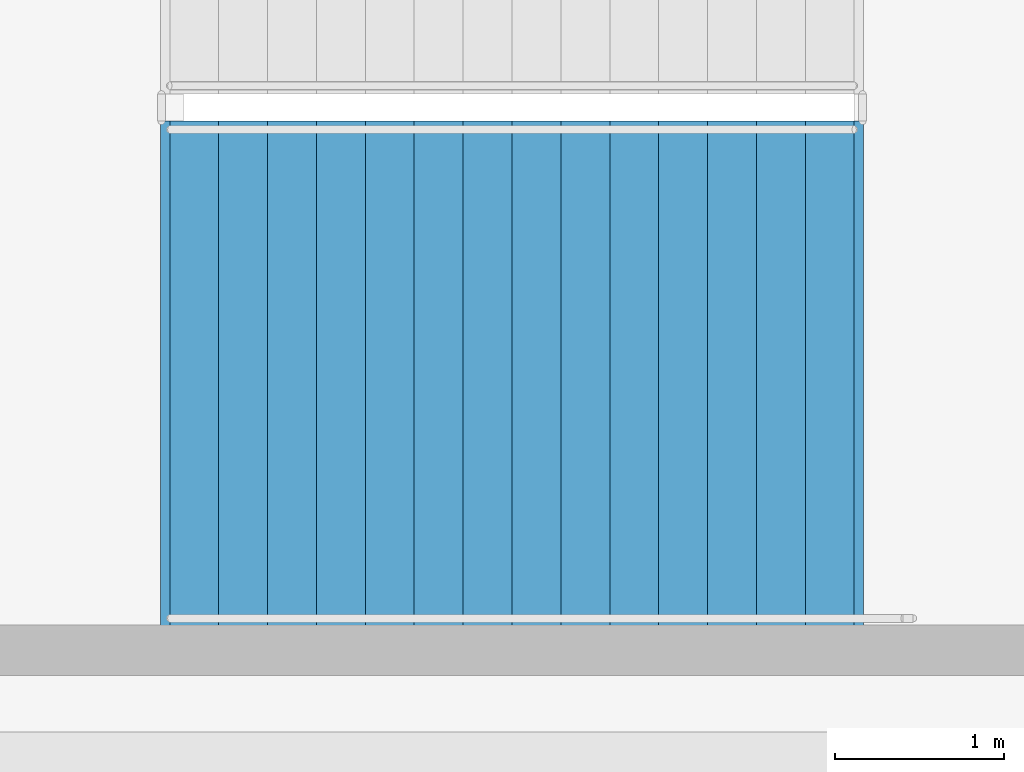
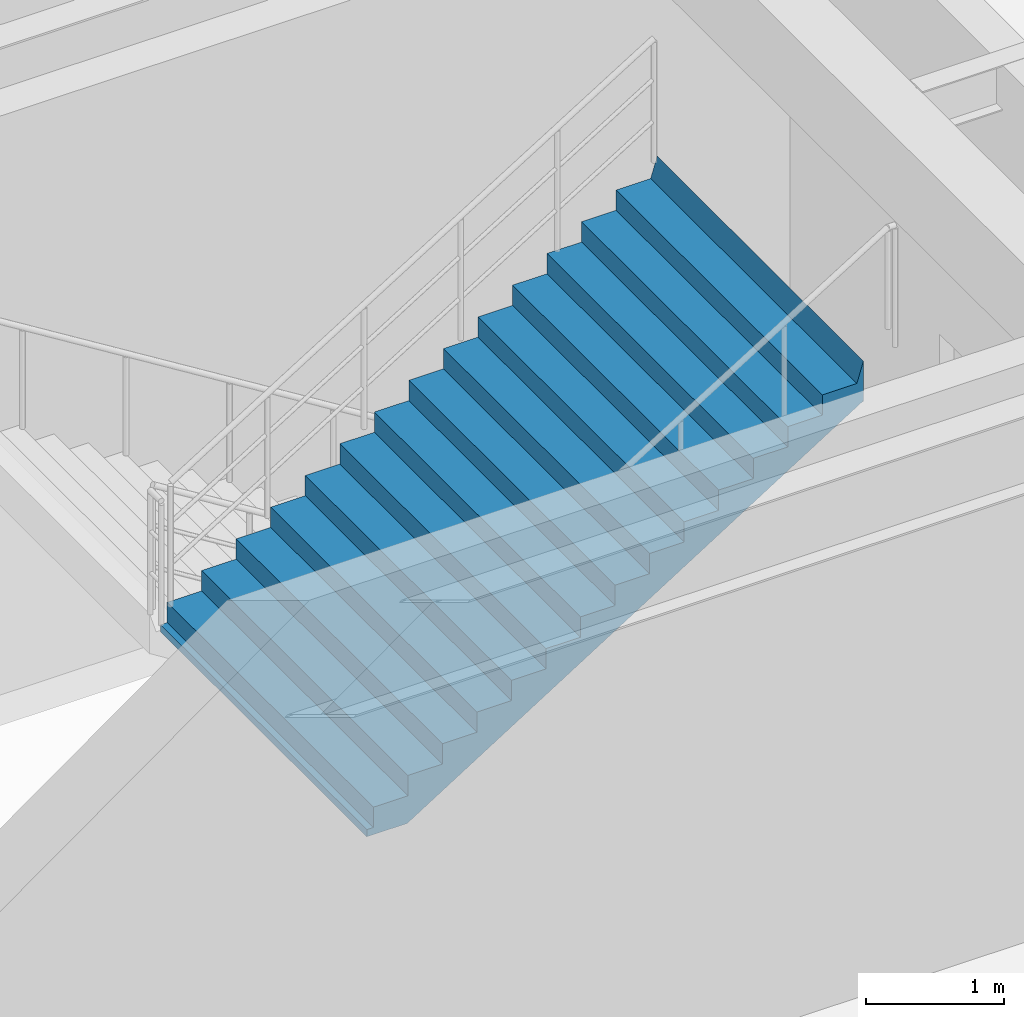
# One storey, part 78 of 93: 1 stair flight, 1 element without a shape of its own.
"""IFC4 building model written with IfcOpenShell, lengths in metres."""

from ifc_helpers import new_model, si_unit, direction, frame, origin, place, context, subcontext, project, spatial, polyline, outline, extrude, material, type_object, element, aggregate, save


model = new_model("IFC4")

# Units and contexts
model_context = context("Model", 3, precision=1e-05, world=origin(), true_north=direction((0.0, 1.0)))
body_context = subcontext(model_context, "Body", "Model", "MODEL_VIEW")
ifc_project = project(units=[si_unit("LENGTHUNIT", "METRE"), si_unit("AREAUNIT", "SQUARE_METRE"), si_unit("VOLUMEUNIT", "CUBIC_METRE"), si_unit("PLANEANGLEUNIT", "RADIAN"), si_unit("MASSUNIT", "GRAM", prefix="KILO")], contexts=[model_context])

# Site, building, storey
site_placement = place(None, origin())
site = spatial("IfcSite", under=ifc_project, at=site_placement, CompositionType="ELEMENT")
building_placement = place(site_placement, origin())
building = spatial("IfcBuilding", under=site, at=building_placement, Name="Cinderbank Siding Concert Hall", CompositionType="ELEMENT")
storey_placement = place(building_placement, origin())
storey = spatial("IfcBuildingStorey", under=building, at=storey_placement, Name="L01", CompositionType="ELEMENT", Elevation=0.0)

# Stair, stair flight
ifc_material = material(Name="Reinforced concrete AS 3600 N50 (50 MPa)", Category="concrete")
stair_type = type_object("IfcStairType", Name="STR-I Dogleg Exit Stair 3000mm", PredefinedType="HALF_TURN_STAIR", material=ifc_material)
stair_placement = place(storey_placement, origin())
stair = element("IfcStair", 1, at=stair_placement, inside=storey, type_object=stair_type, Name="L01 East Link Exit Stair ST-11", PredefinedType="HALF_TURN_STAIR")
stair_flight_type = type_object("IfcStairFlightType", Name="SFL-I Concrete Stair Flight 3000mm", PredefinedType="STRAIGHT", material=ifc_material)
stair_flight_placement = place(storey_placement, frame((155.639892578125, 83.050048828125, 2.699951171875), z_axis=(0.0, 0.0, 1.0), x_axis=(1.0, 0.0, 0.0)))
stair_flight = element("IfcStairFlight", 2, at=stair_flight_placement, type_object=stair_flight_type, Name="ST-11 flight 2", NumberOfRisers=15, NumberOfTreads=14, PredefinedType="STRAIGHT", RiserHeight=0.18, TreadLength=0.29, context=body_context, shape_type="SweptSolid", body=[
    extrude(outline(polyline([(0.0, 0.0), (0.0, 0.179931640625), (0.2900390625, 0.179931640625), (0.2900390625, 0.360107421875), (0.580078125, 0.360107421875), (0.580078125, 0.5400390625), (0.8701171875, 0.5400390625), (0.8701171875, 0.719970703125), (1.159912109375, 0.719970703125), (1.159912109375, 0.89990234375), (1.449951171875, 0.89990234375), (1.449951171875, 1.080078125), (1.739990234375, 1.080078125), (1.739990234375, 1.260009765625), (2.030029296875, 1.260009765625), (2.030029296875, 1.43994140625), (2.320068359375, 1.43994140625), (2.320068359375, 1.6201171875), (2.610107421875, 1.6201171875), (2.610107421875, 1.800048828125), (2.89990234375, 1.800048828125), (2.89990234375, 1.97998046875), (3.18994140625, 1.97998046875), (3.18994140625, 2.159912109375), (3.47998046875, 2.159912109375), (3.47998046875, 2.340087890625), (3.77001953125, 2.340087890625), (3.77001953125, 2.52001953125), (4.06005859375, 2.52001953125), (4.114990234375, 2.699951171875), (4.114990234375, 2.343505859375), (4.11474609375, 2.34375), (4.11474609375, 2.343994140625), (4.11474609375, 2.34423828125), (4.11474609375, 2.344482421875), (4.11474609375, 2.3447265625), (4.11474609375, 2.344970703125), (4.11474609375, 2.34521484375), (4.11474609375, 2.345458984375), (4.11474609375, 2.345703125), (4.11474609375, 2.345947265625), (4.11474609375, 2.34619140625), (4.11474609375, 2.346435546875), (4.114501953125, 2.346435546875), (4.114501953125, 2.34619140625), (4.114501953125, 2.345947265625), (4.114501953125, 2.345703125), (4.114501953125, 2.345458984375), (4.114501953125, 2.34521484375), (4.114501953125, 2.344970703125), (4.114501953125, 2.3447265625), (4.114501953125, 2.344482421875), (4.114501953125, 2.34423828125), (4.114501953125, 2.343994140625), (4.114501953125, 2.34375), (4.114501953125, 2.343505859375), (4.1142578125, 2.34375), (4.1142578125, 2.343994140625), (4.1142578125, 2.34423828125), (4.1142578125, 2.344482421875), (4.1142578125, 2.3447265625), (4.1142578125, 2.344970703125), (4.1142578125, 2.34521484375), (4.1142578125, 2.345458984375), (4.1142578125, 2.345703125), (4.1142578125, 2.345947265625), (4.1142578125, 2.34619140625), (4.1142578125, 2.346435546875), (4.114013671875, 2.346435546875), (4.114013671875, 2.34619140625), (4.114013671875, 2.345947265625), (4.114013671875, 2.345703125), (4.114013671875, 2.345458984375), (4.114013671875, 2.34521484375), (4.114013671875, 2.344970703125), (4.114013671875, 2.3447265625), (4.114013671875, 2.344482421875), (4.114013671875, 2.34423828125), (4.114013671875, 2.343994140625), (4.114013671875, 2.34375), (4.114013671875, 2.343505859375), (4.11376953125, 2.34375), (4.11376953125, 2.343994140625), (4.11376953125, 2.34423828125), (4.11376953125, 2.344482421875), (4.11376953125, 2.3447265625), (4.11376953125, 2.344970703125), (4.11376953125, 2.34521484375), (4.11376953125, 2.345458984375), (4.11376953125, 2.345703125), (4.11376953125, 2.345947265625), (4.11376953125, 2.34619140625), (4.11376953125, 2.346435546875), (4.113525390625, 2.346435546875), (4.113525390625, 2.34619140625), (4.113525390625, 2.345947265625), (4.113525390625, 2.345703125), (4.113525390625, 2.345458984375), (4.113525390625, 2.34521484375), (4.113525390625, 2.344970703125), (4.113525390625, 2.3447265625), (4.113525390625, 2.344482421875), (4.113525390625, 2.34423828125), (4.113525390625, 2.343994140625), (4.113525390625, 2.34375), (4.113525390625, 2.343505859375), (4.11328125, 2.34375), (4.11328125, 2.343994140625), (4.11328125, 2.34423828125), (4.11328125, 2.344482421875), (4.11328125, 2.3447265625), (4.11328125, 2.344970703125), (4.11328125, 2.34521484375), (4.11328125, 2.345458984375), (4.11328125, 2.345703125), (4.11328125, 2.345947265625), (4.11328125, 2.34619140625), (4.11328125, 2.346435546875), (4.113037109375, 2.346435546875), (4.113037109375, 2.34619140625), (4.113037109375, 2.345947265625), (4.113037109375, 2.345703125), (4.113037109375, 2.345458984375), (4.113037109375, 2.34521484375), (4.113037109375, 2.344970703125), (4.113037109375, 2.3447265625), (4.113037109375, 2.344482421875), (4.113037109375, 2.34423828125), (4.113037109375, 2.343994140625), (4.113037109375, 2.34375), (4.113037109375, 2.343505859375), (4.11279296875, 2.34375), (4.11279296875, 2.343994140625), (4.11279296875, 2.34423828125), (4.11279296875, 2.344482421875), (4.11279296875, 2.3447265625), (4.11279296875, 2.344970703125), (4.11279296875, 2.34521484375), (4.11279296875, 2.345458984375), (4.11279296875, 2.345703125), (4.11279296875, 2.345947265625), (4.11279296875, 2.34619140625), (4.11279296875, 2.346435546875), (4.112548828125, 2.346435546875), (4.112548828125, 2.34619140625), (4.112548828125, 2.345947265625), (4.112548828125, 2.345703125), (4.112548828125, 2.345458984375), (4.112548828125, 2.34521484375), (4.112548828125, 2.344970703125), (4.112548828125, 2.3447265625), (4.112548828125, 2.344482421875), (4.112548828125, 2.34423828125), (4.112548828125, 2.343994140625), (4.112548828125, 2.34375), (4.112548828125, 2.343505859375), (4.1123046875, 2.34375), (4.1123046875, 2.343994140625), (4.1123046875, 2.34423828125), (4.1123046875, 2.344482421875), (4.1123046875, 2.3447265625), (4.1123046875, 2.344970703125), (4.1123046875, 2.34521484375), (4.1123046875, 2.345458984375), (4.1123046875, 2.345703125), (4.1123046875, 2.345947265625), (4.1123046875, 2.34619140625), (4.1123046875, 2.346435546875), (4.112060546875, 2.346435546875), (4.112060546875, 2.34619140625), (4.112060546875, 2.345947265625), (4.112060546875, 2.345703125), (4.112060546875, 2.345458984375), (4.112060546875, 2.34521484375), (4.112060546875, 2.344970703125), (4.112060546875, 2.3447265625), (4.112060546875, 2.344482421875), (4.112060546875, 2.34423828125), (4.112060546875, 2.343994140625), (4.112060546875, 2.34375), (4.112060546875, 2.343505859375), (4.11181640625, 2.34375), (4.11181640625, 2.343994140625), (4.11181640625, 2.34423828125), (4.11181640625, 2.344482421875), (4.11181640625, 2.3447265625), (4.11181640625, 2.344970703125), (4.11181640625, 2.34521484375), (4.11181640625, 2.345458984375), (4.11181640625, 2.345703125), (4.11181640625, 2.345947265625), (4.11181640625, 2.34619140625), (4.11181640625, 2.346435546875), (4.111572265625, 2.346435546875), (4.111572265625, 2.34619140625), (4.111572265625, 2.345947265625), (4.111572265625, 2.345703125), (4.111572265625, 2.345458984375), (4.111572265625, 2.34521484375), (4.111572265625, 2.344970703125), (4.111572265625, 2.3447265625), (4.111572265625, 2.344482421875), (4.111572265625, 2.34423828125), (4.111572265625, 2.343994140625), (4.111572265625, 2.34375), (4.111572265625, 2.343505859375), (4.111328125, 2.34375), (4.111328125, 2.343994140625), (4.111328125, 2.34423828125), (4.111328125, 2.344482421875), (4.111328125, 2.3447265625), (4.111328125, 2.344970703125), (4.111328125, 2.34521484375), (4.111328125, 2.345458984375), (4.111328125, 2.345703125), (4.111328125, 2.345947265625), (4.111328125, 2.34619140625), (4.111328125, 2.346435546875), (4.111083984375, 2.346435546875), (4.111083984375, 2.34619140625), (4.111083984375, 2.345947265625), (4.111083984375, 2.345703125), (4.111083984375, 2.345458984375), (4.111083984375, 2.34521484375), (4.111083984375, 2.344970703125), (4.111083984375, 2.3447265625), (4.111083984375, 2.344482421875), (4.111083984375, 2.34423828125), (4.111083984375, 2.343994140625), (4.111083984375, 2.34375), (4.111083984375, 2.343505859375), (4.11083984375, 2.34375), (4.11083984375, 2.343994140625), (4.11083984375, 2.34423828125), (4.11083984375, 2.344482421875), (4.11083984375, 2.3447265625), (4.11083984375, 2.344970703125), (4.11083984375, 2.34521484375), (4.11083984375, 2.345458984375), (4.11083984375, 2.345703125), (4.11083984375, 2.345947265625), (4.11083984375, 2.34619140625), (4.11083984375, 2.346435546875), (4.110595703125, 2.346435546875), (4.110595703125, 2.34619140625), (4.110595703125, 2.345947265625), (4.110595703125, 2.345703125), (4.110595703125, 2.345458984375), (4.110595703125, 2.34521484375), (4.110595703125, 2.344970703125), (4.110595703125, 2.3447265625), (4.110595703125, 2.344482421875), (4.110595703125, 2.34423828125), (4.110595703125, 2.343994140625), (4.110595703125, 2.34375), (4.110595703125, 2.343505859375), (4.1103515625, 2.34375), (4.1103515625, 2.343994140625), (4.1103515625, 2.34423828125), (4.1103515625, 2.344482421875), (4.1103515625, 2.3447265625), (4.1103515625, 2.344970703125), (4.1103515625, 2.34521484375), (4.1103515625, 2.345458984375), (4.1103515625, 2.345703125), (4.1103515625, 2.345947265625), (4.1103515625, 2.34619140625), (4.1103515625, 2.346435546875), (4.110107421875, 2.346435546875), (4.110107421875, 2.34619140625), (4.110107421875, 2.345947265625), (4.110107421875, 2.345703125), (4.110107421875, 2.345458984375), (4.110107421875, 2.34521484375), (4.110107421875, 2.344970703125), (4.110107421875, 2.3447265625), (4.110107421875, 2.344482421875), (4.110107421875, 2.34423828125), (4.110107421875, 2.343994140625), (4.110107421875, 2.34375), (4.110107421875, 2.343505859375), (4.10986328125, 2.34375), (4.10986328125, 2.343994140625), (4.10986328125, 2.34423828125), (4.10986328125, 2.344482421875), (4.10986328125, 2.3447265625), (4.10986328125, 2.344970703125), (4.10986328125, 2.34521484375), (4.10986328125, 2.345458984375), (4.10986328125, 2.345703125), (4.10986328125, 2.345947265625), (4.10986328125, 2.34619140625), (4.10986328125, 2.346435546875), (4.109619140625, 2.346435546875), (4.109619140625, 2.34619140625), (4.109619140625, 2.345947265625), (4.109619140625, 2.345703125), (4.109619140625, 2.345458984375), (4.109619140625, 2.34521484375), (4.109619140625, 2.344970703125), (4.109619140625, 2.3447265625), (4.109619140625, 2.344482421875), (4.109619140625, 2.34423828125), (4.109619140625, 2.343994140625), (4.109619140625, 2.34375), (4.109619140625, 2.343505859375), (4.109375, 2.34375), (4.109375, 2.343994140625), (4.109375, 2.34423828125), (4.109375, 2.344482421875), (4.109375, 2.3447265625), (4.109375, 2.344970703125), (4.109375, 2.34521484375), (4.109375, 2.345458984375), (4.109375, 2.345703125), (4.109375, 2.345947265625), (4.109375, 2.34619140625), (4.109375, 2.346435546875), (4.109130859375, 2.346435546875), (4.109130859375, 2.34619140625), (4.109130859375, 2.345947265625), (4.109130859375, 2.345703125), (4.109130859375, 2.345458984375), (4.109130859375, 2.34521484375), (4.109130859375, 2.344970703125), (4.109130859375, 2.3447265625), (4.109130859375, 2.344482421875), (4.109130859375, 2.34423828125), (4.109130859375, 2.343994140625), (4.109130859375, 2.34375), (4.109130859375, 2.343505859375), (4.10888671875, 2.34375), (4.10888671875, 2.343994140625), (4.10888671875, 2.34423828125), (4.10888671875, 2.344482421875), (4.10888671875, 2.3447265625), (4.10888671875, 2.344970703125), (4.10888671875, 2.34521484375), (4.10888671875, 2.345458984375), (4.10888671875, 2.345703125), (4.10888671875, 2.345947265625), (4.10888671875, 2.34619140625), (4.10888671875, 2.346435546875), (4.108642578125, 2.346435546875), (4.108642578125, 2.34619140625), (4.108642578125, 2.345947265625), (4.108642578125, 2.345703125), (4.108642578125, 2.345458984375), (4.108642578125, 2.34521484375), (4.108642578125, 2.344970703125), (4.108642578125, 2.3447265625), (4.108642578125, 2.344482421875), (4.108642578125, 2.34423828125), (4.108642578125, 2.343994140625), (4.108642578125, 2.34375), (4.108642578125, 2.343505859375), (0.2841796875, -0.06396484375), (-0.048583984375, -0.063720703125), (-0.048583984375, -0.0634765625), (-0.048583984375, -0.063232421875), (-0.048583984375, -0.06298828125), (-0.048583984375, -0.062744140625), (-0.048583984375, -0.0625), (-0.048583984375, -0.062255859375), (-0.048583984375, -0.06201171875), (-0.048583984375, -0.061767578125), (-0.048583984375, -0.0615234375), (-0.048583984375, -0.061279296875), (-0.048583984375, -0.06103515625), (-0.048828125, -0.06103515625), (-0.048828125, -0.061279296875), (-0.048828125, -0.0615234375), (-0.048828125, -0.061767578125), (-0.048828125, -0.06201171875), (-0.048828125, -0.062255859375), (-0.048828125, -0.0625), (-0.048828125, -0.062744140625), (-0.048828125, -0.06298828125), (-0.048828125, -0.063232421875), (-0.048828125, -0.0634765625), (-0.048828125, -0.063720703125), (-0.048828125, -0.06396484375), (-0.049072265625, -0.063720703125), (-0.049072265625, -0.0634765625), (-0.049072265625, -0.063232421875), (-0.049072265625, -0.06298828125), (-0.049072265625, -0.062744140625), (-0.049072265625, -0.0625), (-0.049072265625, -0.062255859375), (-0.049072265625, -0.06201171875), (-0.049072265625, -0.061767578125), (-0.049072265625, -0.0615234375), (-0.049072265625, -0.061279296875), (-0.049072265625, -0.06103515625), (-0.04931640625, -0.06103515625), (-0.04931640625, -0.061279296875), (-0.04931640625, -0.0615234375), (-0.04931640625, -0.061767578125), (-0.04931640625, -0.06201171875), (-0.04931640625, -0.062255859375), (-0.04931640625, -0.0625), (-0.04931640625, -0.062744140625), (-0.04931640625, -0.06298828125), (-0.04931640625, -0.063232421875), (-0.04931640625, -0.0634765625), (-0.04931640625, -0.063720703125), (-0.04931640625, -0.06396484375), (-0.049560546875, -0.063720703125), (-0.049560546875, -0.0634765625), (-0.049560546875, -0.063232421875), (-0.049560546875, -0.06298828125), (-0.049560546875, -0.062744140625), (-0.049560546875, -0.0625), (-0.049560546875, -0.062255859375), (-0.049560546875, -0.06201171875), (-0.049560546875, -0.061767578125), (-0.049560546875, -0.0615234375), (-0.049560546875, -0.061279296875), (-0.049560546875, -0.06103515625), (-0.0498046875, -0.06103515625), (-0.0498046875, -0.061279296875), (-0.0498046875, -0.0615234375), (-0.0498046875, -0.061767578125), (-0.0498046875, -0.06201171875), (-0.0498046875, -0.062255859375), (-0.0498046875, -0.0625), (-0.0498046875, -0.062744140625), (-0.0498046875, -0.06298828125), (-0.0498046875, -0.063232421875), (-0.0498046875, -0.0634765625), (-0.0498046875, -0.063720703125), (-0.0498046875, -0.06396484375), (-0.050048828125, -0.063720703125), (-0.050048828125, -0.0634765625), (-0.050048828125, -0.063232421875), (-0.050048828125, -0.06298828125), (-0.050048828125, -0.062744140625), (-0.050048828125, -0.0625), (-0.050048828125, -0.062255859375), (-0.050048828125, -0.06201171875), (-0.050048828125, -0.061767578125), (-0.050048828125, -0.0615234375), (-0.050048828125, -0.061279296875), (-0.050048828125, -0.06103515625), (-0.05029296875, -0.06103515625), (-0.05029296875, -0.061279296875), (-0.05029296875, -0.0615234375), (-0.05029296875, -0.061767578125), (-0.05029296875, -0.06201171875), (-0.05029296875, -0.062255859375), (-0.05029296875, -0.0625), (-0.05029296875, -0.062744140625), (-0.05029296875, -0.06298828125), (-0.05029296875, -0.063232421875), (-0.05029296875, -0.0634765625), (-0.05029296875, -0.063720703125), (-0.05029296875, -0.06396484375), (-0.050537109375, -0.063720703125), (-0.050537109375, -0.0634765625), (-0.050537109375, -0.063232421875), (-0.050537109375, -0.06298828125), (-0.050537109375, -0.062744140625), (-0.050537109375, -0.0625), (-0.050537109375, -0.062255859375), (-0.050537109375, -0.06201171875), (-0.050537109375, -0.061767578125), (-0.050537109375, -0.0615234375), (-0.050537109375, -0.061279296875), (-0.050537109375, -0.06103515625), (-0.05078125, -0.06103515625), (-0.05078125, -0.061279296875), (-0.05078125, -0.0615234375), (-0.05078125, -0.061767578125), (-0.05078125, -0.06201171875), (-0.05078125, -0.062255859375), (-0.05078125, -0.0625), (-0.05078125, -0.062744140625), (-0.05078125, -0.06298828125), (-0.05078125, -0.063232421875), (-0.05078125, -0.0634765625), (-0.05078125, -0.063720703125), (-0.05078125, -0.06396484375), (-0.051025390625, -0.063720703125), (-0.051025390625, -0.0634765625), (-0.051025390625, -0.063232421875), (-0.051025390625, -0.06298828125), (-0.051025390625, -0.062744140625), (-0.051025390625, -0.0625), (-0.051025390625, -0.062255859375), (-0.051025390625, -0.06201171875), (-0.051025390625, -0.061767578125), (-0.051025390625, -0.0615234375), (-0.051025390625, -0.061279296875), (-0.051025390625, -0.06103515625), (-0.05126953125, -0.06103515625), (-0.05126953125, -0.061279296875), (-0.05126953125, -0.0615234375), (-0.05126953125, -0.061767578125), (-0.05126953125, -0.06201171875), (-0.05126953125, -0.062255859375), (-0.05126953125, -0.0625), (-0.05126953125, -0.062744140625), (-0.05126953125, -0.06298828125), (-0.05126953125, -0.063232421875), (-0.05126953125, -0.0634765625), (-0.05126953125, -0.063720703125), (-0.05126953125, -0.06396484375), (-0.051513671875, -0.063720703125), (-0.051513671875, -0.0634765625), (-0.051513671875, -0.063232421875), (-0.051513671875, -0.06298828125), (-0.051513671875, -0.062744140625), (-0.051513671875, -0.0625), (-0.051513671875, -0.062255859375), (-0.051513671875, -0.06201171875), (-0.051513671875, -0.061767578125), (-0.051513671875, -0.0615234375), (-0.051513671875, -0.061279296875), (-0.051513671875, -0.06103515625), (-0.0517578125, -0.06103515625), (-0.0517578125, -0.061279296875), (-0.0517578125, -0.0615234375), (-0.0517578125, -0.061767578125), (-0.0517578125, -0.06201171875), (-0.0517578125, -0.062255859375), (-0.0517578125, -0.0625), (-0.0517578125, -0.062744140625), (-0.0517578125, -0.06298828125), (-0.0517578125, -0.063232421875), (-0.0517578125, -0.0634765625), (-0.0517578125, -0.063720703125), (-0.0517578125, -0.06396484375), (-0.052001953125, -0.063720703125), (-0.052001953125, -0.0634765625), (-0.052001953125, -0.063232421875), (-0.052001953125, -0.06298828125), (-0.052001953125, -0.062744140625), (-0.052001953125, -0.0625), (-0.052001953125, -0.062255859375), (-0.052001953125, -0.06201171875), (-0.052001953125, -0.061767578125), (-0.052001953125, -0.0615234375), (-0.052001953125, -0.061279296875), (-0.052001953125, -0.06103515625), (-0.05224609375, -0.06103515625), (-0.05224609375, -0.061279296875), (-0.05224609375, -0.0615234375), (-0.05224609375, -0.061767578125), (-0.05224609375, -0.06201171875), (-0.05224609375, -0.062255859375), (-0.05224609375, -0.0625), (-0.05224609375, -0.062744140625), (-0.05224609375, -0.06298828125), (-0.05224609375, -0.063232421875), (-0.05224609375, -0.0634765625), (-0.05224609375, -0.063720703125), (-0.05224609375, -0.06396484375), (-0.052490234375, -0.063720703125), (-0.052490234375, -0.0634765625), (-0.052490234375, -0.063232421875), (-0.052490234375, -0.06298828125), (-0.052490234375, -0.062744140625), (-0.052490234375, -0.0625), (-0.052490234375, -0.062255859375), (-0.052490234375, -0.06201171875), (-0.052490234375, -0.061767578125), (-0.052490234375, -0.0615234375), (-0.052490234375, -0.061279296875), (-0.052490234375, -0.06103515625), (-0.052734375, -0.06103515625), (-0.052734375, -0.061279296875), (-0.052734375, -0.0615234375), (-0.052734375, -0.061767578125), (-0.052734375, -0.06201171875), (-0.052734375, -0.062255859375), (-0.052734375, -0.0625), (-0.052734375, -0.062744140625), (-0.052734375, -0.06298828125), (-0.052734375, -0.063232421875), (-0.052734375, -0.0634765625), (-0.052734375, -0.063720703125), (-0.052734375, -0.06396484375), (-0.052978515625, -0.063720703125), (-0.052978515625, -0.0634765625), (-0.052978515625, -0.063232421875), (-0.052978515625, -0.06298828125), (-0.052978515625, -0.062744140625), (-0.052978515625, -0.0625), (-0.052978515625, -0.062255859375), (-0.052978515625, -0.06201171875), (-0.052978515625, -0.061767578125), (-0.052978515625, -0.0615234375), (-0.052978515625, -0.061279296875), (-0.052978515625, -0.06103515625), (-0.05322265625, -0.06103515625), (-0.05322265625, -0.061279296875), (-0.05322265625, -0.0615234375), (-0.05322265625, -0.061767578125), (-0.05322265625, -0.06201171875), (-0.05322265625, -0.062255859375), (-0.05322265625, -0.0625), (-0.05322265625, -0.062744140625), (-0.05322265625, -0.06298828125), (-0.05322265625, -0.063232421875), (-0.05322265625, -0.0634765625), (-0.05322265625, -0.063720703125), (-0.05322265625, -0.06396484375), (-0.053466796875, -0.063720703125), (-0.053466796875, -0.0634765625), (-0.053466796875, -0.063232421875), (-0.053466796875, -0.06298828125), (-0.053466796875, -0.062744140625), (-0.053466796875, -0.0625), (-0.053466796875, -0.062255859375), (-0.053466796875, -0.06201171875), (-0.053466796875, -0.061767578125), (-0.053466796875, -0.0615234375), (-0.053466796875, -0.061279296875), (-0.053466796875, -0.06103515625), (-0.0537109375, -0.06103515625), (-0.0537109375, -0.061279296875), (-0.0537109375, -0.0615234375), (-0.0537109375, -0.061767578125), (-0.0537109375, -0.06201171875), (-0.0537109375, -0.062255859375), (-0.0537109375, -0.0625), (-0.0537109375, -0.062744140625), (-0.0537109375, -0.06298828125), (-0.0537109375, -0.063232421875), (-0.0537109375, -0.0634765625), (-0.0537109375, -0.063720703125), (-0.0537109375, -0.06396484375), (-0.053955078125, -0.063720703125), (-0.053955078125, -0.0634765625), (-0.053955078125, -0.063232421875), (-0.053955078125, -0.06298828125), (-0.053955078125, -0.062744140625), (-0.053955078125, -0.0625), (-0.053955078125, -0.062255859375), (-0.053955078125, -0.06201171875), (-0.053955078125, -0.061767578125), (-0.053955078125, -0.0615234375), (-0.053955078125, -0.061279296875), (-0.053955078125, -0.06103515625), (-0.05419921875, -0.06103515625), (-0.05419921875, -0.061279296875), (-0.05419921875, -0.0615234375), (-0.05419921875, -0.061767578125), (-0.05419921875, -0.06201171875), (-0.05419921875, -0.062255859375), (-0.05419921875, -0.0625), (-0.05419921875, -0.062744140625), (-0.05419921875, -0.06298828125), (-0.05419921875, -0.063232421875), (-0.05419921875, -0.0634765625), (-0.05419921875, -0.063720703125), (-0.05419921875, -0.06396484375), (-0.054443359375, -0.063720703125), (-0.054443359375, -0.0634765625), (-0.054443359375, -0.063232421875), (-0.054443359375, -0.06298828125), (-0.054443359375, -0.062744140625), (-0.054443359375, -0.0625), (-0.054443359375, -0.062255859375), (-0.054443359375, -0.06201171875), (-0.054443359375, -0.061767578125), (-0.054443359375, -0.0615234375), (-0.054443359375, -0.061279296875), (-0.054443359375, -0.06103515625), (-0.0546875, -0.06103515625), (-0.0546875, -0.061279296875), (-0.0546875, -0.0615234375), (-0.0546875, -0.061767578125), (-0.0546875, -0.06201171875), (-0.0546875, -0.062255859375), (-0.0546875, -0.0625), (-0.0546875, -0.062744140625), (-0.0546875, -0.06298828125), (-0.0546875, -0.063232421875), (-0.0546875, -0.0634765625), (-0.0546875, -0.063720703125), (-0.0546875, -0.06396484375), (-0.054931640625, -0.06396484375), (-0.054931640625, 0.0), (0.0, 0.0)])), frame((0.0, 1.5, 0.0), z_axis=(0.0, -1.0, 0.0), x_axis=(1.0, 0.0, 0.0)), (0.0, 0.0, 1.0), 3.0),
])
aggregate(stair, [stair_flight])

save(model, "model.ifc")
